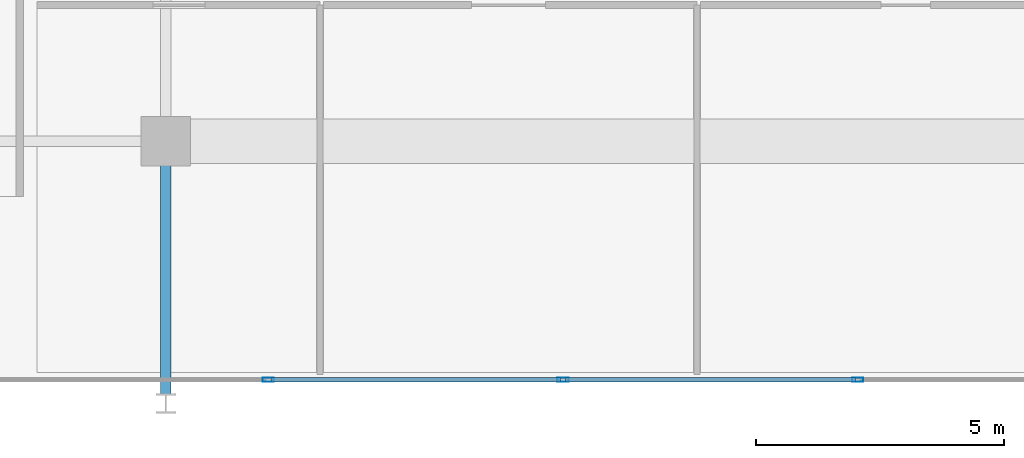
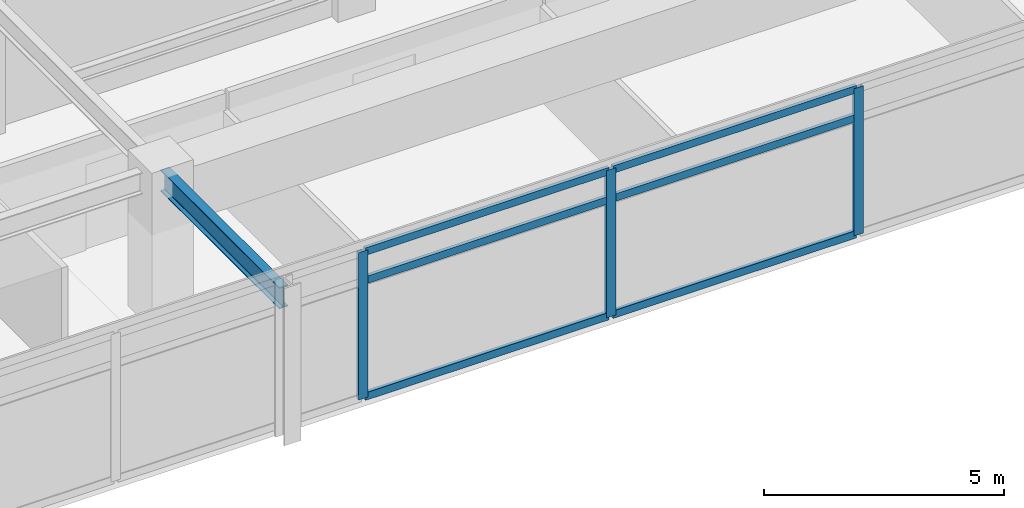
# One storey, part 4 of 20: 9 members, 1 beam, 1 element without a shape of its own.
"""IFC4 building model written with IfcOpenShell, lengths in metres."""

from ifc_helpers import new_model, si_unit, direction, frame, origin, origin_2d, place, context, subcontext, project, spatial, hollow_rectangle, i_section, extrude, material, material_profile, profile_set, type_object, element, aggregate, save


model = new_model("IFC4")

# Units and contexts
model_context = context("Model", 3, precision=1e-05, world=origin(), true_north=direction((0.0, 1.0)))
body_context = subcontext(model_context, "Body", "Model", "MODEL_VIEW")
ifc_project = project(units=[si_unit("LENGTHUNIT", "METRE"), si_unit("AREAUNIT", "SQUARE_METRE"), si_unit("VOLUMEUNIT", "CUBIC_METRE"), si_unit("PLANEANGLEUNIT", "RADIAN"), si_unit("MASSUNIT", "GRAM", prefix="KILO")], contexts=[model_context])

# Site, building, storey
site_placement = place(None, origin())
site = spatial("IfcSite", under=ifc_project, at=site_placement, CompositionType="ELEMENT")
building_placement = place(site_placement, origin())
building = spatial("IfcBuilding", under=site, at=building_placement, Name="Kovane Verandah Tower", CompositionType="ELEMENT")
storey_placement = place(building_placement, frame((0.0, 0.0, 330.800048828125)))
storey = spatial("IfcBuildingStorey", under=building, at=storey_placement, Name="L77", CompositionType="ELEMENT", Elevation=330.800048828125)

# Beam
ifc_material_1 = material(Name="Steel S355", Category="steel")
ifc_material_profile_1 = material_profile(ifc_material_1, i_section(OverallWidth=0.2119140625, OverallDepth=0.54443359375, WebThickness=0.0126953125, FlangeThickness=0.021240234375, FilletRadius=0.0126953125, at=origin_2d()), Name="UB533x210x122")
ifc_profile_set_1 = profile_set([ifc_material_profile_1], Name="Steel S355")
beam_type = type_object("IfcBeamType", Name="BM-UB533x122", PredefinedType="BEAM", material=ifc_profile_set_1)
beam_placement = place(storey_placement, frame((29.0, 10.6201171875, 3.48779296875), z_axis=(0.0, -1.0, 0.0), x_axis=(1.0, 0.0, 0.0)))
element("IfcBeam", 1, at=beam_placement, inside=storey, type_object=beam_type, Name="L77 Primary Tower Girder G-VS1", PredefinedType="BEAM", context=body_context, shape_type="SweptSolid", body=[
    extrude(i_section(OverallWidth=0.2119140625, OverallDepth=0.54443359375, WebThickness=0.0126953125, FlangeThickness=0.021240234375, FilletRadius=0.0126953125, at=origin_2d()), origin(), (0.0, 0.0, 1.0), 4.940185546875),
])

# Curtain wall, members
ifc_material_2 = material(Name="Champagne Anodised Aluminium Frame with Low-E Clear Laminated Glass", Category="aluminium")
curtain_wall_type = type_object("IfcCurtainWallType", Name="CW-SYS-05-HIGH", PredefinedType="NOTDEFINED", material=ifc_material_2)
curtain_wall_placement = place(storey_placement, origin())
curtain_wall = element("IfcCurtainWall", 2, at=curtain_wall_placement, inside=storey, type_object=curtain_wall_type, Name="L77 S Unitised Curtain Wall", PredefinedType="NOTDEFINED")
ifc_material_3 = material(Name="Champagne Anodised Aluminium 6063-T6", Category="aluminium")
ifc_material_profile_2 = material_profile(ifc_material_3, hollow_rectangle(XDim=0.0849609375, YDim=0.22998046875, WallThickness=0.00390625, at=origin_2d()), Name="AL85x230x4")
ifc_profile_set_2 = profile_set([ifc_material_profile_2], Name="Champagne Anodised Aluminium 6063-T6")
member_type_1 = type_object("IfcMemberType", Name="CW-MUL-85x230", PredefinedType="MULLION", material=ifc_profile_set_2)
member_1_placement = place(storey_placement, frame((31.070068359375, 5.981689453125, 0.02001953125), z_axis=(0.0, 0.0, 1.0), x_axis=(0.0, -1.0, 0.0)))
member_1 = element("IfcMember", 3, at=member_1_placement, type_object=member_type_1, Name="L77 S Unitised Curtain Wall Mullion 3", PredefinedType="MULLION", context=body_context, shape_type="SweptSolid", body=[
    extrude(hollow_rectangle(XDim=0.0849609375, YDim=0.22998046875, WallThickness=0.00390625, at=origin_2d()), origin(), (0.0, 0.0, 1.0), 3.744873046875),
])
member_2_placement = place(storey_placement, frame((37.0234375, 5.981689453125, 0.02001953125), z_axis=(0.0, 0.0, 1.0), x_axis=(0.0, -1.0, 0.0)))
member_2 = element("IfcMember", 4, at=member_2_placement, type_object=member_type_1, Name="L77 S Unitised Curtain Wall Mullion 4", PredefinedType="MULLION", context=body_context, shape_type="SweptSolid", body=[
    extrude(hollow_rectangle(XDim=0.0849609375, YDim=0.22998046875, WallThickness=0.00390625, at=origin_2d()), origin(), (0.0, 0.0, 1.0), 3.744873046875),
])
member_3_placement = place(storey_placement, frame((42.9765625, 5.981689453125, 0.02001953125), z_axis=(0.0, 0.0, 1.0), x_axis=(0.0, -1.0, 0.0)))
member_3 = element("IfcMember", 5, at=member_3_placement, type_object=member_type_1, Name="L77 S Unitised Curtain Wall Mullion 5", PredefinedType="MULLION", context=body_context, shape_type="SweptSolid", body=[
    extrude(hollow_rectangle(XDim=0.0849609375, YDim=0.22998046875, WallThickness=0.00390625, at=origin_2d()), origin(), (0.0, 0.0, 1.0), 3.744873046875),
])
ifc_material_profile_3 = material_profile(ifc_material_3, hollow_rectangle(XDim=0.0849609375, YDim=0.18994140625, WallThickness=0.00390625, at=origin_2d()), Name="AL85x190x4")
ifc_profile_set_3 = profile_set([ifc_material_profile_3], Name="Champagne Anodised Aluminium 6063-T6")
member_type_2 = type_object("IfcMemberType", Name="CW-TRN-85x190", PredefinedType="USERDEFINED", material=ifc_profile_set_3)
member_4_placement = place(storey_placement, frame((31.1201171875, 5.981689453125, 0.050048828125), z_axis=(1.0, 0.0, 0.0), x_axis=(0.0, 1.0, 0.0)))
member_4 = element("IfcMember", 6, at=member_4_placement, type_object=member_type_2, Name="L77 S Unitised Curtain Wall Transom TB Bay 3", ObjectType="TRANSOM", PredefinedType="USERDEFINED", context=body_context, shape_type="SweptSolid", body=[
    extrude(hollow_rectangle(XDim=0.0849609375, YDim=0.18994140625, WallThickness=0.00390625, at=origin_2d()), origin(), (0.0, 0.0, 1.0), 5.853271484375),
])
member_5_placement = place(storey_placement, frame((31.1201171875, 5.981689453125, 3.0048828125), z_axis=(1.0, 0.0, 0.0), x_axis=(0.0, 1.0, 0.0)))
member_5 = element("IfcMember", 7, at=member_5_placement, type_object=member_type_2, Name="L77 S Unitised Curtain Wall Transom TM Bay 3", ObjectType="TRANSOM", PredefinedType="USERDEFINED", context=body_context, shape_type="SweptSolid", body=[
    extrude(hollow_rectangle(XDim=0.0849609375, YDim=0.18994140625, WallThickness=0.00390625, at=origin_2d()), origin(), (0.0, 0.0, 1.0), 5.853271484375),
])
member_6_placement = place(storey_placement, frame((31.1201171875, 5.981689453125, 3.73486328125), z_axis=(1.0, 0.0, 0.0), x_axis=(0.0, 1.0, 0.0)))
member_6 = element("IfcMember", 8, at=member_6_placement, type_object=member_type_2, Name="L77 S Unitised Curtain Wall Transom TT Bay 3", ObjectType="TRANSOM", PredefinedType="USERDEFINED", context=body_context, shape_type="SweptSolid", body=[
    extrude(hollow_rectangle(XDim=0.0849609375, YDim=0.18994140625, WallThickness=0.00390625, at=origin_2d()), origin(), (0.0, 0.0, 1.0), 5.853271484375),
])
member_7_placement = place(storey_placement, frame((37.073486328125, 5.981689453125, 0.050048828125), z_axis=(1.0, 0.0, 0.0), x_axis=(0.0, 1.0, 0.0)))
member_7 = element("IfcMember", 9, at=member_7_placement, type_object=member_type_2, Name="L77 S Unitised Curtain Wall Transom TB Bay 4", ObjectType="TRANSOM", PredefinedType="USERDEFINED", context=body_context, shape_type="SweptSolid", body=[
    extrude(hollow_rectangle(XDim=0.0849609375, YDim=0.18994140625, WallThickness=0.00390625, at=origin_2d()), origin(), (0.0, 0.0, 1.0), 5.85302734375),
])
member_8_placement = place(storey_placement, frame((37.073486328125, 5.981689453125, 3.0048828125), z_axis=(1.0, 0.0, 0.0), x_axis=(0.0, 1.0, 0.0)))
member_8 = element("IfcMember", 10, at=member_8_placement, type_object=member_type_2, Name="L77 S Unitised Curtain Wall Transom TM Bay 4", ObjectType="TRANSOM", PredefinedType="USERDEFINED", context=body_context, shape_type="SweptSolid", body=[
    extrude(hollow_rectangle(XDim=0.0849609375, YDim=0.18994140625, WallThickness=0.00390625, at=origin_2d()), origin(), (0.0, 0.0, 1.0), 5.85302734375),
])
member_9_placement = place(storey_placement, frame((37.073486328125, 5.981689453125, 3.73486328125), z_axis=(1.0, 0.0, 0.0), x_axis=(0.0, 1.0, 0.0)))
member_9 = element("IfcMember", 11, at=member_9_placement, type_object=member_type_2, Name="L77 S Unitised Curtain Wall Transom TT Bay 4", ObjectType="TRANSOM", PredefinedType="USERDEFINED", context=body_context, shape_type="SweptSolid", body=[
    extrude(hollow_rectangle(XDim=0.0849609375, YDim=0.18994140625, WallThickness=0.00390625, at=origin_2d()), origin(), (0.0, 0.0, 1.0), 5.85302734375),
])
aggregate(curtain_wall, [member_1, member_2, member_3, member_4, member_5, member_6, member_7, member_8, member_9])

save(model, "model.ifc")
